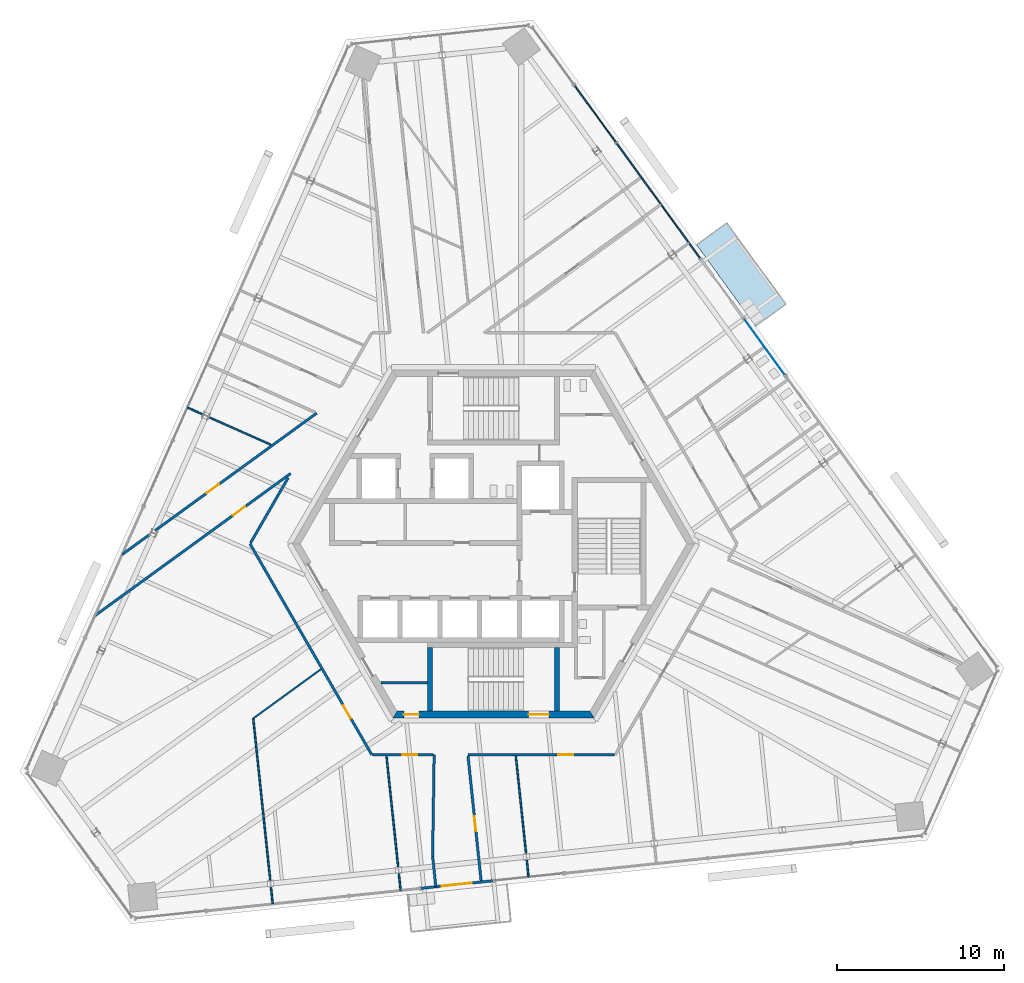
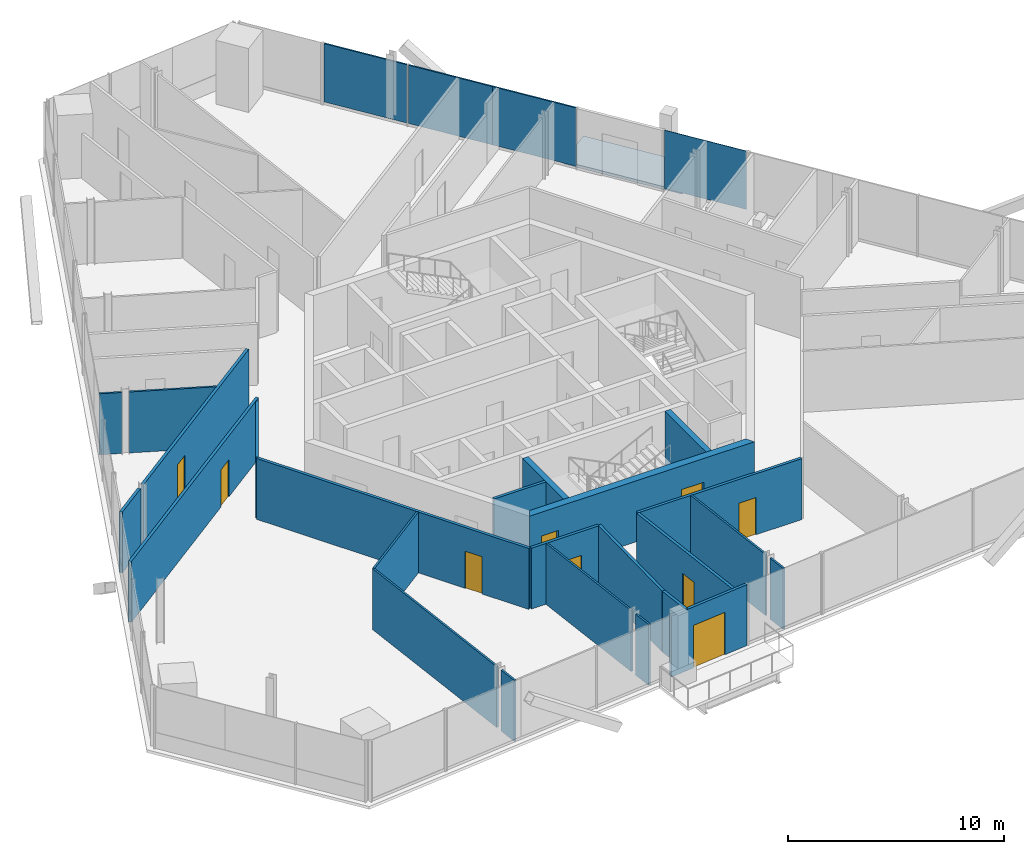
# One storey, part 11 of 19: 24 walls, 9 doors, 4 plates, 1 slab, 9 openings, 2 elements without a shape of their own.
"""IFC4 building model written with IfcOpenShell, lengths in metres."""

from ifc_helpers import new_model, si_unit, direction, frame, frame_2d, origin, origin_2d, place, context, subcontext, project, spatial, polyline, rectangle, outline, extrude, source, transform, mapped, material, layer, layer_set, type_object, element, fill, aggregate, save


model = new_model("IFC4")

# Units and contexts
model_context = context("Model", 3, precision=1e-05, world=origin(), true_north=direction((0.0, 1.0)))
body_context = subcontext(model_context, "Body", "Model", "MODEL_VIEW")
ifc_project = project(units=[si_unit("LENGTHUNIT", "METRE"), si_unit("AREAUNIT", "SQUARE_METRE"), si_unit("VOLUMEUNIT", "CUBIC_METRE"), si_unit("PLANEANGLEUNIT", "RADIAN"), si_unit("MASSUNIT", "GRAM", prefix="KILO")], contexts=[model_context])

# Site, building, storey
site_placement = place(None, origin())
site = spatial("IfcSite", under=ifc_project, at=site_placement, CompositionType="ELEMENT")
building_placement = place(site_placement, origin())
building = spatial("IfcBuilding", under=site, at=building_placement, Name="Triune Harvest Tower", CompositionType="ELEMENT")
storey_placement = place(building_placement, frame((0.0, 0.0, 244.89990234375)))
storey = spatial("IfcBuildingStorey", under=building, at=storey_placement, Name="L64", CompositionType="ELEMENT", Elevation=244.89990234375)

# Slab
ifc_material_1 = material(Name="Concrete 40 MPa", Category="concrete")
ifc_layer_1 = layer(ifc_material_1, 0.159912109375)
ifc_layer_set_1 = layer_set([ifc_layer_1], Name="Concrete 40 MPa")
slab_type = type_object("IfcSlabType", Name="BA-1 balcony slab 160", PredefinedType="FLOOR", material=ifc_layer_set_1)
slab_placement = place(storey_placement, frame((0.0, 0.0, -0.159912109375)))
element("IfcSlab", 1, at=slab_placement, inside=storey, type_object=slab_type, Name="Balcony slab B6-F1 L64.7", PredefinedType="FLOOR", context=body_context, shape_type="SweptSolid", body=[
    extrude(outline(polyline([(15.652099609375, 12.9990234375), (12.12548828125, 17.853271484375), (13.93310546875, 19.16650390625), (17.4599609375, 14.3125), (15.652099609375, 12.9990234375)])), origin(), (0.0, 0.0, 1.0), 0.159912109375),
])

# Curtain wall, plates
ifc_material_2 = material(Name="Aluminium bronze anodised", Category="aluminium")
curtain_wall_type_1 = type_object("IfcCurtainWallType", Name="CW-10 Balcony window wall with insulated spandrel infill", PredefinedType="NOTDEFINED", material=ifc_material_2)
curtain_wall_1_placement = place(storey_placement, origin())
curtain_wall_1 = element("IfcCurtainWall", 2, at=curtain_wall_1_placement, inside=storey, type_object=curtain_wall_type_1, Name="CW-10 B6-F1 L64 run 2")
ifc_material_3 = material(Name="Insulated spandrel panel, bronze aluminium pan", Category="aluminium")
ifc_layer_2 = layer(ifc_material_3, 0.080078125)
ifc_layer_set_2 = layer_set([ifc_layer_2], Name="Insulated spandrel panel, bronze aluminium pan")
plate_type_1 = type_object("IfcPlateType", Name="SP-1 insulated spandrel panel 80", PredefinedType="CURTAIN_PANEL", material=ifc_layer_set_2)
shared_shape_1 = source(origin(), body_context, "Body", "SweptSolid", [
    extrude(rectangle(XDim=4.218994140625, YDim=0.080078125, at=origin_2d()), origin(), (0.0, 0.0, 1.0), 3.2900390625),
])
plate_1_placement = place(storey_placement, frame((11.093505859375, 18.762939453125, 0.150146484375), z_axis=(0.0, 0.0, 1.0), x_axis=(-0.587783565585, 0.809018219837, 0.0)))
plate_1 = element("IfcPlate", 3, at=plate_1_placement, type_object=plate_type_1, Name="CW-10 panel B6-F1 2.1", PredefinedType="CURTAIN_PANEL", context=body_context, shape_type="MappedRepresentation", body=[
    mapped(shared_shape_1, transform((0.0, 0.0, 0.0), scale=1.0)),
])
shared_shape_2 = source(origin(), body_context, "Body", "SweptSolid", [
    extrude(rectangle(XDim=4.25634765625, YDim=0.080078125, at=origin_2d()), origin(), (0.0, 0.0, 1.0), 3.2900390625),
])
plate_2_placement = place(storey_placement, frame((8.602783203125, 22.19140625, 0.150146484375), z_axis=(0.0, 0.0, 1.0), x_axis=(-0.587783565585, 0.809018219837, 0.0)))
plate_2 = element("IfcPlate", 4, at=plate_2_placement, type_object=plate_type_1, Name="CW-10 panel B6-F1 2.2", PredefinedType="CURTAIN_PANEL", context=body_context, shape_type="MappedRepresentation", body=[
    mapped(shared_shape_2, transform((0.0, 0.0, 0.0), scale=1.0)),
])

# Curtain wall, plate
ifc_material_4 = material(Name="Aluminium bronze anodised", Category="aluminium")
curtain_wall_type_2 = type_object("IfcCurtainWallType", Name="CW-6 Balcony window wall", PredefinedType="NOTDEFINED", material=ifc_material_4)
curtain_wall_2_placement = place(storey_placement, origin())
curtain_wall_2 = element("IfcCurtainWall", 5, at=curtain_wall_2_placement, inside=storey, type_object=curtain_wall_type_2, Name="CW-6 B6-F1 L64 run 2001")
ifc_material_5 = material(Name="Glass", Category="glass")
ifc_layer_3 = layer(ifc_material_5, 0.030029296875)
ifc_layer_set_3 = layer_set([ifc_layer_3], Name="Glass")
plate_type_2 = type_object("IfcPlateType", Name="GL-6 panel 30", PredefinedType="CURTAIN_PANEL", material=ifc_layer_set_3)
shared_shape_3 = source(origin(), body_context, "Body", "SweptSolid", [
    extrude(rectangle(XDim=4.1513671875, YDim=0.030029296875, at=origin_2d()), origin(), (0.0, 0.0, 1.0), 3.2900390625),
])
plate_3_placement = place(storey_placement, frame((16.1787109375, 11.763916015625, 0.150146484375), z_axis=(0.0, 0.0, 1.0), x_axis=(-0.587783064479, 0.80901858391, 0.0)))
plate_3 = element("IfcPlate", 6, at=plate_3_placement, type_object=plate_type_2, Name="CW-6 panel B6-F1 2001.1", PredefinedType="CURTAIN_PANEL", context=body_context, shape_type="MappedRepresentation", body=[
    mapped(shared_shape_3, transform((0.0, 0.0, 0.0), scale=1.0)),
])
aggregate(curtain_wall_2, [plate_3])

# Plate
shared_shape_4 = source(origin(), body_context, "Body", "SweptSolid", [
    extrude(rectangle(XDim=4.181396484375, YDim=0.080078125, at=origin_2d()), origin(), (0.0, 0.0, 1.0), 3.2900390625),
])
plate_4_placement = place(storey_placement, frame((6.078857421875, 25.665283203125, 0.150146484375), z_axis=(0.0, 0.0, 1.0), x_axis=(-0.587783565585, 0.809018219837, 0.0)))
plate_4 = element("IfcPlate", 7, at=plate_4_placement, type_object=plate_type_1, Name="CW-10 panel B6-F1 2.3", PredefinedType="CURTAIN_PANEL", context=body_context, shape_type="MappedRepresentation", body=[
    mapped(shared_shape_4, transform((0.0, 0.0, 0.0), scale=1.0)),
])

aggregate(curtain_wall_1, [plate_1, plate_2, plate_4])

# Wall
ifc_material_6 = material(Name="Gypsum board on steel studs", Category="steel")
ifc_layer_4 = layer(ifc_material_6, 0.14990234375)
ifc_layer_set_4 = layer_set([ifc_layer_4], Name="Gypsum board on steel studs")
wall_type_1 = type_object("IfcWallType", Name="Fire Partition 150 mm", PredefinedType="PARTITIONING", material=ifc_layer_set_4)
wall_1_placement = place(storey_placement, frame((-3.633544921875, -18.6806640625, 0.0), z_axis=(0.0, 0.0, 1.0), x_axis=(0.104565077509, -0.994518046375, 0.0)))
element("IfcWall", 8, at=wall_1_placement, inside=storey, type_object=wall_type_1, Name="Partition L64 005", PredefinedType="PARTITIONING", context=body_context, shape_type="SweptSolid", body=[
    extrude(rectangle(XDim=1.804931640625, YDim=0.14990234375, at=frame_2d((0.90234375, 0.0))), origin(), (0.0, 0.0, 1.0), 3.440185546875),
])

# Wall, opening, door
wall_2_placement = place(storey_placement, frame((-1.525634765625, -12.652099609375, 0.0), z_axis=(0.0, 0.0, 1.0), x_axis=(0.104515447548, -0.994523263289, 0.0)))
wall_2 = element("IfcWall", 9, at=wall_2_placement, inside=storey, type_object=wall_type_1, Name="Partition L64 008", PredefinedType="PARTITIONING", context=body_context, shape_type="SweptSolid", body=[
    extrude(rectangle(XDim=7.580078125, YDim=0.14990234375, at=frame_2d((3.7900390625, 0.0))), origin(), (0.0, 0.0, 1.0), 3.440185546875),
])
opening_1_placement = place(wall_2_placement, frame((3.63037109375, 0.0, 0.0)))
opening_1 = element("IfcOpeningElement", 10, at=opening_1_placement, cuts=wall_2, Name="Opening L64-022", PredefinedType="OPENING", context=body_context, shape_type="SweptSolid", body=[
    extrude(rectangle(XDim=0.89990234375, YDim=2.10009765625, at=frame_2d((0.449951171875, 1.050048828125))), frame((0.0, 0.0849609375, 0.0), z_axis=(0.0, -1.0, 0.0), x_axis=(1.0, 0.0, 0.0)), (0.0, 0.0, 1.0), 0.169921875),
])
ifc_material_7 = material(Name="Timber and steel door set", Category="steel")
door_type_1 = type_object("IfcDoorType", Name="Single leaf door FD30 right hand 900 x 2100", OperationType="SINGLE_SWING_RIGHT", PredefinedType="DOOR", material=ifc_material_7)
door_1_placement = place(opening_1_placement, origin())
door_1 = element("IfcDoor", 11, at=door_1_placement, inside=storey, type_object=door_type_1, Name="Door L64-022 Meeting Room 64.22", OperationType="SINGLE_SWING_RIGHT", OverallHeight=2.10009765625, OverallWidth=0.89990234375, PredefinedType="DOOR", context=body_context, shape_type="SweptSolid", body=[
    extrude(rectangle(XDim=0.89990234375, YDim=2.10009765625, at=frame_2d((0.449951171875, 1.050048828125))), frame((0.0, 0.02490234375, 0.0), z_axis=(0.0, -1.0, 0.0), x_axis=(1.0, 0.0, 0.0)), (0.0, 0.0, 1.0), 0.050048828125),
])
fill(opening_1, door_1)

wall_3_placement = place(storey_placement, frame((-7.22021484375, -12.59228515625, 0.0), z_axis=(0.0, 0.0, 1.0), x_axis=(1.0, 0.0, 0.0)))
wall_3 = element("IfcWall", 12, at=wall_3_placement, inside=storey, type_object=wall_type_1, Name="Partition L64 032", PredefinedType="PARTITIONING", context=body_context, shape_type="SweptSolid", body=[
    extrude(rectangle(XDim=3.6142578125, YDim=0.14990234375, at=frame_2d((1.80712890625, 0.0))), origin(), (0.0, 0.0, 1.0), 3.440185546875),
])
opening_2_placement = place(wall_3_placement, frame((1.77197265625, 0.0, 0.0)))
opening_2 = element("IfcOpeningElement", 13, at=opening_2_placement, cuts=wall_3, Name="Opening L64-021", PredefinedType="OPENING", context=body_context, shape_type="SweptSolid", body=[
    extrude(rectangle(XDim=0.89990234375, YDim=2.10009765625, at=frame_2d((0.449951171875, 1.050048828125))), frame((0.0, 0.0849609375, 0.0), z_axis=(0.0, -1.0, 0.0), x_axis=(1.0, 0.0, 0.0)), (0.0, 0.0, 1.0), 0.169921875),
])
ifc_material_8 = material(Name="Timber and steel door set", Category="steel")
door_type_2 = type_object("IfcDoorType", Name="Single leaf door FD30 left hand 900 x 2100", OperationType="SINGLE_SWING_LEFT", PredefinedType="DOOR", material=ifc_material_8)
door_2_placement = place(opening_2_placement, origin())
door_2 = element("IfcDoor", 14, at=door_2_placement, inside=storey, type_object=door_type_2, Name="Door L64-021 Office 64.21", OperationType="SINGLE_SWING_LEFT", OverallHeight=2.10009765625, OverallWidth=0.89990234375, PredefinedType="DOOR", context=body_context, shape_type="SweptSolid", body=[
    extrude(rectangle(XDim=0.89990234375, YDim=2.10009765625, at=frame_2d((0.449951171875, 1.050048828125))), frame((0.0, 0.02490234375, 0.0), z_axis=(0.0, -1.0, 0.0), x_axis=(1.0, 0.0, 0.0)), (0.0, 0.0, 1.0), 0.050048828125),
])
fill(opening_2, door_2)

wall_4_placement = place(storey_placement, frame((-1.531982421875, -12.59228515625, 0.0), z_axis=(0.0, 0.0, 1.0), x_axis=(1.0, 0.0, 0.0)))
wall_4 = element("IfcWall", 15, at=wall_4_placement, inside=storey, type_object=wall_type_1, Name="Partition L64 033", PredefinedType="PARTITIONING", context=body_context, shape_type="SweptSolid", body=[
    extrude(rectangle(XDim=8.752197265625, YDim=0.14990234375, at=frame_2d((4.3759765625, 0.0))), origin(), (0.0, 0.0, 1.0), 3.440185546875),
])
opening_3_placement = place(wall_4_placement, frame((5.405517578125, 0.0, 0.0)))
opening_3 = element("IfcOpeningElement", 16, at=opening_3_placement, cuts=wall_4, Name="Opening L64-023", PredefinedType="OPENING", context=body_context, shape_type="SweptSolid", body=[
    extrude(rectangle(XDim=0.89990234375, YDim=2.10009765625, at=frame_2d((0.449951171875, 1.050048828125))), frame((0.0, 0.0849609375, 0.0), z_axis=(0.0, -1.0, 0.0), x_axis=(1.0, 0.0, 0.0)), (0.0, 0.0, 1.0), 0.169921875),
])
door_3_placement = place(opening_3_placement, origin())
door_3 = element("IfcDoor", 17, at=door_3_placement, inside=storey, type_object=door_type_2, Name="Door L64-023 Project Room 64.23", OperationType="SINGLE_SWING_LEFT", OverallHeight=2.10009765625, OverallWidth=0.89990234375, PredefinedType="DOOR", context=body_context, shape_type="SweptSolid", body=[
    extrude(rectangle(XDim=0.89990234375, YDim=2.10009765625, at=frame_2d((0.449951171875, 1.050048828125))), frame((0.0, 0.02490234375, 0.0), z_axis=(0.0, -1.0, 0.0), x_axis=(1.0, 0.0, 0.0)), (0.0, 0.0, 1.0), 0.050048828125),
])
fill(opening_3, door_3)

wall_5_placement = place(storey_placement, frame((-23.809326171875, -4.2958984375, 0.0), z_axis=(0.0, 0.0, 1.0), x_axis=(0.809024496195, 0.587774926784, 0.0)))
wall_5 = element("IfcWall", 18, at=wall_5_placement, inside=storey, type_object=wall_type_1, Name="Partition L64 048", PredefinedType="PARTITIONING", context=body_context, shape_type="SweptSolid", body=[
    extrude(rectangle(XDim=14.454345703125, YDim=0.14990234375, at=frame_2d((7.22705078125, 0.0))), origin(), (0.0, 0.0, 1.0), 3.440185546875),
])
opening_4_placement = place(wall_5_placement, frame((10.196533203125, 0.0, 0.0)))
opening_4 = element("IfcOpeningElement", 19, at=opening_4_placement, cuts=wall_5, Name="Opening L64-018", PredefinedType="OPENING", context=body_context, shape_type="SweptSolid", body=[
    extrude(rectangle(XDim=0.89990234375, YDim=2.10009765625, at=frame_2d((0.449951171875, 1.050048828125))), frame((0.0, 0.0849609375, 0.0), z_axis=(0.0, -1.0, 0.0), x_axis=(1.0, 0.0, 0.0)), (0.0, 0.0, 1.0), 0.169921875),
])
door_4_placement = place(opening_4_placement, origin())
door_4 = element("IfcDoor", 20, at=door_4_placement, inside=storey, type_object=door_type_2, Name="Door L64-018 Open Office 64.18", OperationType="SINGLE_SWING_LEFT", OverallHeight=2.10009765625, OverallWidth=0.89990234375, PredefinedType="DOOR", context=body_context, shape_type="SweptSolid", body=[
    extrude(rectangle(XDim=0.89990234375, YDim=2.10009765625, at=frame_2d((0.449951171875, 1.050048828125))), frame((0.0, 0.02490234375, 0.0), z_axis=(0.0, -1.0, 0.0), x_axis=(1.0, 0.0, 0.0)), (0.0, 0.0, 1.0), 0.050048828125),
])
fill(opening_4, door_4)

# Wall
wall_6_placement = place(storey_placement, frame((-22.182373046875, -0.641845703125, 0.0), z_axis=(0.0, 0.0, 1.0), x_axis=(0.809023161405, 0.58777676401, 0.0)))
element("IfcWall", 21, at=wall_6_placement, inside=storey, type_object=wall_type_1, Name="Partition L64 050", PredefinedType="PARTITIONING", context=body_context, shape_type="SweptSolid", body=[
    extrude(rectangle(XDim=2.095458984375, YDim=0.14990234375, at=frame_2d((1.0478515625, 0.0))), origin(), (0.0, 0.0, 1.0), 3.440185546875),
])

# Wall, opening, door
wall_7_placement = place(storey_placement, frame((-20.21728515625, 0.785888671875, 0.0), z_axis=(0.0, 0.0, 1.0), x_axis=(0.809014398273, 0.587788825504, 0.0)))
wall_7 = element("IfcWall", 22, at=wall_7_placement, inside=storey, type_object=wall_type_1, Name="Partition L64 051", PredefinedType="PARTITIONING", context=body_context, shape_type="SweptSolid", body=[
    extrude(rectangle(XDim=11.945068359375, YDim=0.14990234375, at=frame_2d((5.97265625, 0.0))), origin(), (0.0, 0.0, 1.0), 3.440185546875),
])
opening_5_placement = place(wall_7_placement, frame((3.81640625, 0.0, 0.0)))
opening_5 = element("IfcOpeningElement", 23, at=opening_5_placement, cuts=wall_7, Name="Opening L64-019", PredefinedType="OPENING", context=body_context, shape_type="SweptSolid", body=[
    extrude(rectangle(XDim=0.89990234375, YDim=2.10009765625, at=frame_2d((0.449951171875, 1.050048828125))), frame((0.0, 0.0849609375, 0.0), z_axis=(0.0, -1.0, 0.0), x_axis=(1.0, 0.0, 0.0)), (0.0, 0.0, 1.0), 0.169921875),
])
door_5_placement = place(opening_5_placement, origin())
door_5 = element("IfcDoor", 24, at=door_5_placement, inside=storey, type_object=door_type_2, Name="Door L64-019 Dry Store Room 64.19", OperationType="SINGLE_SWING_LEFT", OverallHeight=2.10009765625, OverallWidth=0.89990234375, PredefinedType="DOOR", context=body_context, shape_type="SweptSolid", body=[
    extrude(rectangle(XDim=0.89990234375, YDim=2.10009765625, at=frame_2d((0.449951171875, 1.050048828125))), frame((0.0, 0.02490234375, 0.0), z_axis=(0.0, -1.0, 0.0), x_axis=(1.0, 0.0, 0.0)), (0.0, 0.0, 1.0), 0.050048828125),
])
fill(opening_5, door_5)

# Walls
wall_8_placement = place(storey_placement, frame((-14.51513671875, 0.04296875, 0.0), z_axis=(0.0, 0.0, 1.0), x_axis=(0.499972939495, 0.866041026611, 0.0)))
element("IfcWall", 25, at=wall_8_placement, inside=storey, type_object=wall_type_1, Name="Partition L64 055", PredefinedType="PARTITIONING", context=body_context, shape_type="SweptSolid", body=[
    extrude(rectangle(XDim=4.499755859375, YDim=0.14990234375, at=frame_2d((2.25, 0.0))), origin(), (0.0, 0.0, 1.0), 3.440185546875),
])
wall_9_placement = place(storey_placement, frame((-3.63720703125, -18.68798828125, 0.0), z_axis=(0.0, 0.0, 1.0), x_axis=(0.014977493144, 0.999887831059, 0.0)))
element("IfcWall", 26, at=wall_9_placement, inside=storey, type_object=wall_type_1, Name="Partition L64 057", PredefinedType="PARTITIONING", context=body_context, shape_type="SweptSolid", body=[
    extrude(rectangle(XDim=6.096435546875, YDim=0.14990234375, at=frame_2d((3.04833984375, 0.0))), origin(), (0.0, 0.0, 1.0), 3.440185546875),
])
ifc_material_9 = material(Name="Gypsum board on steel studs", Category="steel")
ifc_layer_5 = layer(ifc_material_9, 0.10009765625)
ifc_layer_set_5 = layer_set([ifc_layer_5], Name="Gypsum board on steel studs")
wall_type_2 = type_object("IfcWallType", Name="Partition 100 mm", PredefinedType="PARTITIONING", material=ifc_layer_set_5)
wall_10_placement = place(storey_placement, frame((-14.347900390625, -10.42431640625, 0.0), z_axis=(0.0, 0.0, 1.0), x_axis=(0.104538836136, -0.994520805081, 0.0)))
element("IfcWall", 27, at=wall_10_placement, inside=storey, type_object=wall_type_2, Name="Partition L64 001", PredefinedType="PARTITIONING", context=body_context, shape_type="SweptSolid", body=[
    extrude(rectangle(XDim=9.752685546875, YDim=0.10009765625, at=frame_2d((4.87646484375, 0.0))), origin(), (0.0, 0.0, 1.0), 3.440185546875),
])
wall_11_placement = place(storey_placement, frame((1.330078125, -12.652099609375, 0.0), z_axis=(0.0, 0.0, 1.0), x_axis=(0.104514565854, -0.994523355947, 0.0)))
element("IfcWall", 28, at=wall_11_placement, inside=storey, type_object=wall_type_2, Name="Partition L64 011", PredefinedType="PARTITIONING", context=body_context, shape_type="SweptSolid", body=[
    extrude(rectangle(XDim=5.898193359375, YDim=0.10009765625, at=frame_2d((2.94921875, 0.0))), origin(), (0.0, 0.0, 1.0), 3.440185546875),
])
wall_12_placement = place(storey_placement, frame((-17.01025390625, 7.57373046875, 0.0), z_axis=(0.0, 0.0, 1.0), x_axis=(0.913544489931, -0.406738816585, 0.0)))
element("IfcWall", 29, at=wall_12_placement, inside=storey, type_object=wall_type_2, Name="Partition L64 020", PredefinedType="PARTITIONING", context=body_context, shape_type="SweptSolid", body=[
    extrude(rectangle(XDim=4.074462890625, YDim=0.10009765625, at=frame_2d((2.037109375, 0.0))), origin(), (0.0, 0.0, 1.0), 3.440185546875),
])
wall_13_placement = place(storey_placement, frame((-14.33154296875, -10.41259765625, 0.0), z_axis=(0.0, 0.0, 1.0), x_axis=(0.809025659279, 0.587773325891, 0.0)))
element("IfcWall", 30, at=wall_13_placement, inside=storey, type_object=wall_type_2, Name="Partition L64 043", PredefinedType="PARTITIONING", context=body_context, shape_type="SweptSolid", body=[
    extrude(rectangle(XDim=4.9931640625, YDim=0.10009765625, at=frame_2d((2.49658203125, 0.0))), origin(), (0.0, 0.0, 1.0), 3.440185546875),
])

# Wall, openings, doors
ifc_material_10 = material(Name="Concrete 70 MPa", Category="concrete")
ifc_layer_6 = layer(ifc_material_10, 0.39990234375)
ifc_layer_set_6 = layer_set([ifc_layer_6], Name="Concrete 70 MPa")
wall_type_3 = type_object("IfcWallType", Name="Core wall 400", PredefinedType="SHEAR", material=ifc_layer_set_6)
shared_shape_5 = source(origin(), body_context, "Body", "SweptSolid", [
    extrude(outline(polyline([(-0.115478515625, -0.199951171875), (11.884521484375, -0.199951171875), (11.653564453125, 0.199951171875), (0.115478515625, 0.199951171875), (-0.115478515625, -0.199951171875)])), origin(), (0.0, 0.0, 1.0), 3.440185546875),
])
wall_14_placement = place(storey_placement, frame((-5.884521484375, -10.1923828125, 0.0), z_axis=(0.0, 0.0, 1.0), x_axis=(1.0, 0.0, 0.0)))
wall_14 = element("IfcWall", 31, at=wall_14_placement, inside=storey, type_object=wall_type_3, Name="Hexagon 4 wall", PredefinedType="SHEAR", context=body_context, shape_type="MappedRepresentation", body=[
    mapped(shared_shape_5, transform((0.0, 0.0, 0.0), scale=1.0)),
])
opening_6_placement = place(wall_14_placement, frame((7.984619140625, 0.0, 0.0)))
opening_6 = element("IfcOpeningElement", 32, at=opening_6_placement, cuts=wall_14, Name="Opening CD-S2P", PredefinedType="OPENING", context=body_context, shape_type="SweptSolid", body=[
    extrude(rectangle(XDim=1.199951171875, YDim=2.10009765625, at=frame_2d((0.60009765625, 1.050048828125))), frame((0.0, 0.2099609375, 0.0), z_axis=(0.0, -1.0, 0.0), x_axis=(1.0, 0.0, 0.0)), (0.0, 0.0, 1.0), 0.419921875),
])
opening_7_placement = place(wall_14_placement, frame((0.534423828125, 0.0, 0.0)))
opening_7 = element("IfcOpeningElement", 33, at=opening_7_placement, cuts=wall_14, Name="Opening CD-SWS", PredefinedType="OPENING", context=body_context, shape_type="SweptSolid", body=[
    extrude(rectangle(XDim=0.89990234375, YDim=2.10009765625, at=frame_2d((0.449951171875, 1.050048828125))), frame((0.0, 0.2099609375, 0.0), z_axis=(0.0, -1.0, 0.0), x_axis=(1.0, 0.0, 0.0)), (0.0, 0.0, 1.0), 0.419921875),
])
ifc_material_11 = material(Name="Steel S235", Category="steel")
door_type_3 = type_object("IfcDoorType", Name="Riser door 900 FD120", OperationType="SINGLE_SWING_LEFT", PredefinedType="DOOR", material=ifc_material_11)
door_6_placement = place(opening_7_placement, frame((0.89990234375, 0.0, 0.0), z_axis=(0.0, 0.0, 1.0), x_axis=(-1.0, 0.0, 0.0)))
door_6 = element("IfcDoor", 34, at=door_6_placement, inside=storey, type_object=door_type_3, Name="Door CD-SWS", OperationType="SINGLE_SWING_RIGHT", OverallHeight=2.10009765625, OverallWidth=0.89990234375, PredefinedType="DOOR", context=body_context, shape_type="SweptSolid", body=[
    extrude(rectangle(XDim=0.89990234375, YDim=2.10009765625, at=frame_2d((0.449951171875, 1.050048828125))), frame((0.0, 0.02490234375, 0.0), z_axis=(0.0, -1.0, 0.0), x_axis=(1.0, 0.0, 0.0)), (0.0, 0.0, 1.0), 0.050048828125),
])
fill(opening_7, door_6)
ifc_material_12 = material(Name="Steel S235", Category="steel")
door_type_4 = type_object("IfcDoorType", Name="Stair door 1200 FD120", OperationType="SINGLE_SWING_LEFT", PredefinedType="DOOR", material=ifc_material_12)
door_7_placement = place(opening_6_placement, frame((1.199951171875, 0.0, 0.0), z_axis=(0.0, 0.0, 1.0), x_axis=(-1.0, 0.0, 0.0)))
door_7 = element("IfcDoor", 35, at=door_7_placement, inside=storey, type_object=door_type_4, Name="Door CD-S2P", OperationType="SINGLE_SWING_RIGHT", OverallHeight=2.10009765625, OverallWidth=1.199951171875, PredefinedType="DOOR", context=body_context, shape_type="SweptSolid", body=[
    extrude(rectangle(XDim=1.199951171875, YDim=2.10009765625, at=frame_2d((0.60009765625, 1.050048828125))), frame((0.0, 0.02490234375, 0.0), z_axis=(0.0, -1.0, 0.0), x_axis=(1.0, 0.0, 0.0)), (0.0, 0.0, 1.0), 0.050048828125),
])
fill(opening_6, door_7)

# Walls
ifc_material_13 = material(Name="Concrete 70 MPa", Category="concrete")
ifc_layer_7 = layer(ifc_material_13, 0.300048828125)
ifc_layer_set_7 = layer_set([ifc_layer_7], Name="Concrete 70 MPa")
wall_type_4 = type_object("IfcWallType", Name="Core wall 300", PredefinedType="SHEAR", material=ifc_layer_set_7)
shared_shape_6 = source(origin(), body_context, "Body", "SweptSolid", [
    extrude(outline(polyline([(3.800048828125, -0.14990234375), (-0.00439453125, -0.14990234375), (-0.00439453125, 0.14990234375), (3.800048828125, 0.14990234375), (3.800048828125, -0.14990234375)])), origin(), (0.0, 0.0, 1.0), 3.440185546875),
])
for number, where, z_axis, x_axis, name in (
    (36, (-3.800048828125, -9.989990234375, 0.0), (0.0, 0.0, 1.0), (0.0, 1.0, 0.0), "Stair s west wall"),
    (37, (3.800048828125, -9.989990234375, 0.0), (0.0, 0.0, 1.0), (0.0, 1.0, 0.0), "Stair s east wall"),
):
    element("IfcWall", number, at=place(storey_placement, frame(where, z_axis=z_axis, x_axis=x_axis)), inside=storey, type_object=wall_type_4, Name=name, PredefinedType="SHEAR", context=body_context, shape_type="MappedRepresentation", body=[
        mapped(shared_shape_6, transform((0.0, 0.0, 0.0), scale=1.0)),
    ])
ifc_material_14 = material(Name="Concrete masonry unit", Category="masonry")
ifc_layer_8 = layer(ifc_material_14, 0.14990234375)
ifc_layer_set_8 = layer_set([ifc_layer_8], Name="Concrete masonry unit")
wall_type_5 = type_object("IfcWallType", Name="Block partition 150", PredefinedType="PARTITIONING", material=ifc_layer_set_8)
shared_shape_7 = source(origin(), body_context, "Body", "SweptSolid", [
    extrude(rectangle(XDim=2.777099609375, YDim=0.14990234375, at=frame_2d((1.388671875, 0.0))), origin(), (0.0, 0.0, 1.0), 3.440185546875),
])
wall_15_placement = place(storey_placement, frame((-6.72705078125, -8.300048828125, 0.0), z_axis=(0.0, 0.0, 1.0), x_axis=(1.0, 0.0, 0.0)))
element("IfcWall", 38, at=wall_15_placement, inside=storey, type_object=wall_type_5, Name="Sw part wall", PredefinedType="PARTITIONING", context=body_context, shape_type="MappedRepresentation", body=[
    mapped(shared_shape_7, transform((0.0, 0.0, 0.0), scale=1.0)),
])

# Wall, opening, door
ifc_material_15 = material(Name="Aluminium bronze anodised", Category="aluminium")
ifc_layer_9 = layer(ifc_material_15, 0.14990234375)
ifc_layer_set_9 = layer_set([ifc_layer_9], Name="Aluminium bronze anodised")
wall_type_6 = type_object("IfcWallType", Name="WW-2 balcony window wall", PredefinedType="ELEMENTEDWALL", material=ifc_layer_set_9)
shared_shape_8 = source(origin(), body_context, "Body", "SweptSolid", [
    extrude(rectangle(XDim=4.31640625, YDim=0.14990234375, at=frame_2d((2.158203125, 0.0))), origin(), (0.0, 0.0, 1.0), 3.440185546875),
])
wall_16_placement = place(storey_placement, frame((-0.055419921875, -20.119384765625, 0.0), z_axis=(0.0, 0.0, 1.0), x_axis=(-0.99452217624, -0.104525790917, 0.0)))
wall_16 = element("IfcWall", 39, at=wall_16_placement, inside=storey, type_object=wall_type_6, Name="WW-2 B6-F5 L64.5", PredefinedType="ELEMENTEDWALL", context=body_context, shape_type="MappedRepresentation", body=[
    mapped(shared_shape_8, transform((0.0, 0.0, 0.0), scale=1.0)),
])
opening_8_placement = place(wall_16_placement, frame((1.25830078125, 0.0, 0.0)))
opening_8 = element("IfcOpeningElement", 40, at=opening_8_placement, cuts=wall_16, Name="Opening L64-E02", PredefinedType="OPENING", context=body_context, shape_type="SweptSolid", body=[
    extrude(rectangle(XDim=1.800048828125, YDim=2.39990234375, at=frame_2d((0.89990234375, 1.199951171875))), frame((0.0, 0.0849609375, 0.0), z_axis=(0.0, -1.0, 0.0), x_axis=(1.0, 0.0, 0.0)), (0.0, 0.0, 1.0), 0.169921875),
])
ifc_material_16 = material(Name="Glass", Category="glass")
door_type_5 = type_object("IfcDoorType", Name="DB-1 balcony door 1800 x 2400", OperationType="DOUBLE_DOOR_SINGLE_SWING", PredefinedType="DOOR", material=ifc_material_16)
door_8_placement = place(opening_8_placement, origin())
door_8 = element("IfcDoor", 41, at=door_8_placement, inside=storey, type_object=door_type_5, Name="Door L64-E02", OperationType="DOUBLE_DOOR_SINGLE_SWING", OverallHeight=2.39990234375, OverallWidth=1.800048828125, PredefinedType="DOOR", context=body_context, shape_type="SweptSolid", body=[
    extrude(rectangle(XDim=1.800048828125, YDim=2.39990234375, at=frame_2d((0.89990234375, 1.199951171875))), frame((0.0, 0.02490234375, 0.0), z_axis=(0.0, -1.0, 0.0), x_axis=(1.0, 0.0, 0.0)), (0.0, 0.0, 1.0), 0.050048828125),
])
fill(opening_8, door_8)

# Walls
shared_shape_9 = source(origin(), body_context, "Body", "SweptSolid", [
    extrude(rectangle(XDim=1.0478515625, YDim=0.10009765625, at=frame_2d((0.52392578125, 0.0))), origin(), (0.0, 0.0, 1.0), 3.440185546875),
])
for number, where, z_axis, x_axis, name in (
    (42, (-5.656005859375, -19.654541015625, 0.0), (0.0, 0.0, 1.0), (0.104624136351, -0.994511835069, 0.0), "Partition L64 004"),
    (43, (1.981689453125, -18.851806640625, 0.0), (0.0, 0.0, 1.0), (0.104624136351, -0.994511835069, 0.0), "Partition L64 012"),
):
    element("IfcWall", number, at=place(storey_placement, frame(where, z_axis=z_axis, x_axis=x_axis)), inside=storey, type_object=wall_type_2, Name=name, PredefinedType="PARTITIONING", context=body_context, shape_type="MappedRepresentation", body=[
        mapped(shared_shape_9, transform((0.0, 0.0, 0.0), scale=1.0)),
    ])
shared_shape_10 = source(origin(), body_context, "Body", "SweptSolid", [
    extrude(rectangle(XDim=1.047607421875, YDim=0.10009765625, at=frame_2d((0.52392578125, 0.0))), origin(), (0.0, 0.0, 1.0), 3.440185546875),
])
for number, where, z_axis, x_axis, name in (
    (44, (-13.293212890625, -20.45751953125, 0.0), (0.0, 0.0, 1.0), (0.10464838723, -0.994509283541, 0.0), "Partition L64 002"),
    (45, (-18.27392578125, 8.13623046875, 0.0), (0.0, 0.0, 1.0), (0.91357112701, -0.406678983835, 0.0), "Partition L64 019"),
):
    element("IfcWall", number, at=place(storey_placement, frame(where, z_axis=z_axis, x_axis=x_axis)), inside=storey, type_object=wall_type_2, Name=name, PredefinedType="PARTITIONING", context=body_context, shape_type="MappedRepresentation", body=[
        mapped(shared_shape_10, transform((0.0, 0.0, 0.0), scale=1.0)),
    ])
shared_shape_11 = source(origin(), body_context, "Body", "SweptSolid", [
    extrude(rectangle(XDim=6.765625, YDim=0.10009765625, at=frame_2d((3.3828125, 0.0))), origin(), (0.0, 0.0, 1.0), 3.440185546875),
])
wall_17_placement = place(storey_placement, frame((-6.398193359375, -12.59228515625, 0.0), z_axis=(0.0, 0.0, 1.0), x_axis=(0.104540144194, -0.994520667584, 0.0)))
element("IfcWall", 46, at=wall_17_placement, inside=storey, type_object=wall_type_2, Name="Partition L64 003", PredefinedType="PARTITIONING", context=body_context, shape_type="MappedRepresentation", body=[
    mapped(shared_shape_11, transform((0.0, 0.0, 0.0), scale=1.0)),
])

# Wall, opening, door
shared_shape_12 = source(origin(), body_context, "Body", "SweptSolid", [
    extrude(rectangle(XDim=14.540283203125, YDim=0.14990234375, at=frame_2d((7.27001953125, 0.0))), origin(), (0.0, 0.0, 1.0), 3.440185546875),
])
wall_18_placement = place(storey_placement, frame((-14.540283203125, 0.0, 0.0), z_axis=(0.0, 0.0, 1.0), x_axis=(0.500005387432, -0.866022293327, 0.0)))
wall_18 = element("IfcWall", 47, at=wall_18_placement, inside=storey, type_object=wall_type_1, Name="Partition L64 015", PredefinedType="PARTITIONING", context=body_context, shape_type="MappedRepresentation", body=[
    mapped(shared_shape_12, transform((0.0, 0.0, 0.0), scale=1.0)),
])
opening_9_placement = place(wall_18_placement, frame((11.1435546875, 0.0, 0.0)))
opening_9 = element("IfcOpeningElement", 48, at=opening_9_placement, cuts=wall_18, Name="Opening L64-020", PredefinedType="OPENING", context=body_context, shape_type="SweptSolid", body=[
    extrude(rectangle(XDim=0.89990234375, YDim=2.10009765625, at=frame_2d((0.449951171875, 1.050048828125))), frame((0.0, 0.0849609375, 0.0), z_axis=(0.0, -1.0, 0.0), x_axis=(1.0, 0.0, 0.0)), (0.0, 0.0, 1.0), 0.169921875),
])
door_9_placement = place(opening_9_placement, origin())
door_9 = element("IfcDoor", 49, at=door_9_placement, inside=storey, type_object=door_type_2, Name="Door L64-020 Project Room 64.20", OperationType="SINGLE_SWING_LEFT", OverallHeight=2.10009765625, OverallWidth=0.89990234375, PredefinedType="DOOR", context=body_context, shape_type="SweptSolid", body=[
    extrude(rectangle(XDim=0.89990234375, YDim=2.10009765625, at=frame_2d((0.449951171875, 1.050048828125))), frame((0.0, 0.02490234375, 0.0), z_axis=(0.0, -1.0, 0.0), x_axis=(1.0, 0.0, 0.0)), (0.0, 0.0, 1.0), 0.050048828125),
])
fill(opening_9, door_9)

save(model, "model.ifc")
